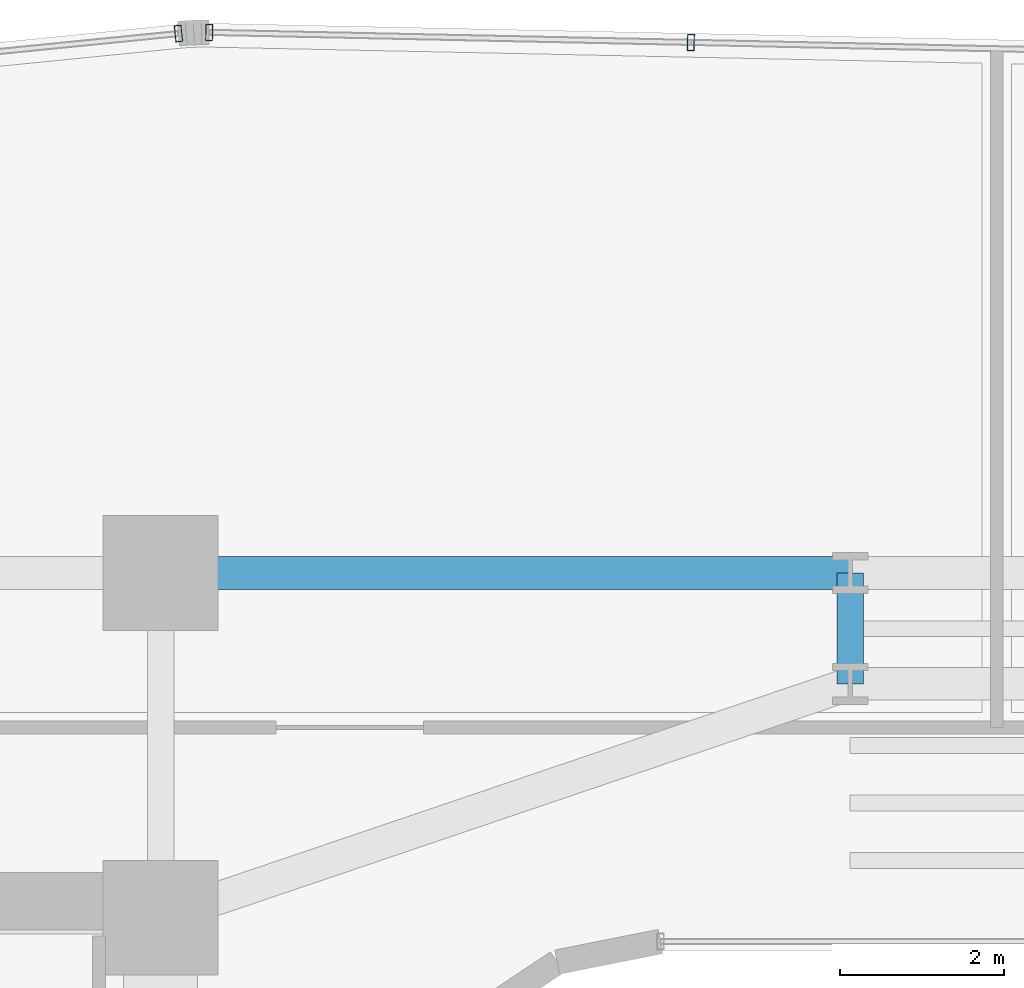
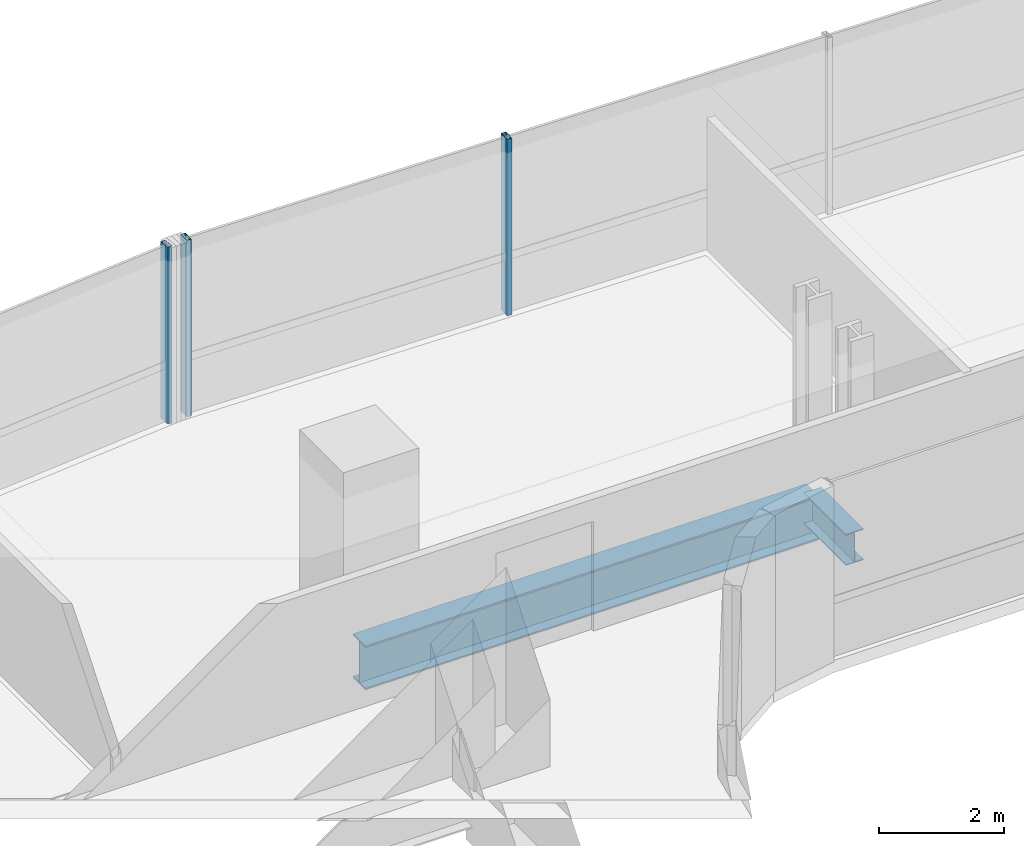
# One storey, part 20 of 41: 3 members, 2 beams, 2 elements without a shape of their own.
"""IFC4 building model written with IfcOpenShell, lengths in metres."""

from ifc_helpers import new_model, si_unit, direction, frame, origin, origin_2d, place, context, subcontext, project, spatial, hollow_rectangle, i_section, extrude, source, transform, mapped, material, material_profile, profile_set, type_object, element, aggregate, save


model = new_model("IFC4")

# Units and contexts
model_context = context("Model", 3, precision=1e-05, world=origin(), true_north=direction((0.0, 1.0)))
body_context = subcontext(model_context, "Body", "Model", "MODEL_VIEW")
ifc_project = project(units=[si_unit("LENGTHUNIT", "METRE"), si_unit("AREAUNIT", "SQUARE_METRE"), si_unit("VOLUMEUNIT", "CUBIC_METRE"), si_unit("PLANEANGLEUNIT", "RADIAN"), si_unit("MASSUNIT", "GRAM", prefix="KILO")], contexts=[model_context])

# Site, building, storey
site_placement = place(None, origin())
site = spatial("IfcSite", under=ifc_project, at=site_placement, CompositionType="ELEMENT")
building_placement = place(site_placement, origin())
building = spatial("IfcBuilding", under=site, at=building_placement, Name="Valdorenza Pilgrim Sanctuary Tower", CompositionType="ELEMENT")
storey_placement = place(building_placement, frame((0.0, 0.0, 63.0)))
storey = spatial("IfcBuildingStorey", under=building, at=storey_placement, Name="L15", CompositionType="ELEMENT", Elevation=63.0)

# Beams
ifc_material_1 = material(Name="Steel ASTM A992 Grade 50", Category="steel")
ifc_material_profile_1 = material_profile(ifc_material_1, i_section(OverallWidth=0.39990234375, OverallDepth=0.862060546875, WebThickness=0.019775390625, FlangeThickness=0.032470703125, at=origin_2d()), Name="W33X221")
ifc_profile_set_1 = profile_set([ifc_material_profile_1], Name="Steel ASTM A992 Grade 50")
beam_type_1 = type_object("IfcBeamType", Name="STR-BM-GRD-W33", PredefinedType="BEAM", material=ifc_profile_set_1)
shared_shape_1 = source(origin(), body_context, "Body", "SweptSolid", [
    extrude(i_section(OverallWidth=0.39990234375, OverallDepth=0.862060546875, WebThickness=0.019775390625, FlangeThickness=0.032470703125, at=origin_2d()), origin(), (0.0, 0.0, 1.0), 8.39990234375),
])
beam_1_placement = place(storey_placement, frame((-12.39990234375, 14.800048828125, -0.6708984375), z_axis=(1.0, 0.0, 0.0), x_axis=(0.0, 1.0, 0.0)))
element("IfcBeam", 1, at=beam_1_placement, inside=storey, type_object=beam_type_1, Name="L15 Floor Girder KNK-G4", PredefinedType="BEAM", context=body_context, shape_type="MappedRepresentation", body=[
    mapped(shared_shape_1, transform((0.0, 0.0, 0.0), x_axis=(1.0, 0.0, 0.0), y_axis=(0.0, 1.0, 0.0), z_axis=(0.0, 0.0, 1.0), scale=1.0)),
])
ifc_material_profile_2 = material_profile(ifc_material_1, i_section(OverallWidth=0.323974609375, OverallDepth=0.611083984375, WebThickness=0.0126953125, FlangeThickness=0.01904296875, at=origin_2d()), Name="W24X104")
ifc_profile_set_2 = profile_set([ifc_material_profile_2], Name="Steel ASTM A992 Grade 50")
beam_type_2 = type_object("IfcBeamType", Name="STR-BM-GRD-W24B", PredefinedType="BEAM", material=ifc_profile_set_2)
shared_shape_2 = source(origin(), body_context, "Body", "SweptSolid", [
    extrude(i_section(OverallWidth=0.323974609375, OverallDepth=0.611083984375, WebThickness=0.0126953125, FlangeThickness=0.01904296875, at=origin_2d()), origin(), (0.0, 0.0, 1.0), 1.35009765625),
])
beam_2_placement = place(storey_placement, frame((-4.0, 13.449951171875, -0.54541015625), z_axis=(0.0, 1.0, 0.0), x_axis=(-1.0, 0.0, 0.0)))
element("IfcBeam", 2, at=beam_2_placement, inside=storey, type_object=beam_type_2, Name="L15 Floor Girder KNK-TIE-W", PredefinedType="BEAM", context=body_context, shape_type="MappedRepresentation", body=[
    mapped(shared_shape_2, transform((0.0, 0.0, 0.0), x_axis=(1.0, 0.0, 0.0), y_axis=(0.0, 1.0, 0.0), z_axis=(0.0, 0.0, 1.0), scale=1.0)),
])

# Curtain wall, member
ifc_material_2 = material(Name="Curtain-wall IGU glazing", Category="glass")
curtain_wall_type = type_object("IfcCurtainWallType", Name="CW-SYS-02", PredefinedType="NOTDEFINED", material=ifc_material_2)
curtain_wall_1_placement = place(storey_placement, origin())
curtain_wall_1 = element("IfcCurtainWall", 3, at=curtain_wall_1_placement, inside=storey, type_object=curtain_wall_type, Name="L15 Curtain Wall CW-L15-1-6", PredefinedType="NOTDEFINED")
ifc_material_3 = material(Name="Anodised aluminium AW-6060", Category="aluminium")
ifc_material_profile_3 = material_profile(ifc_material_3, hollow_rectangle(XDim=0.0849609375, YDim=0.199951171875, WallThickness=0.0048828125, at=origin_2d()), Name="ALU-M 200x85x5")
ifc_profile_set_3 = profile_set([ifc_material_profile_3], Name="Anodised aluminium AW-6060")
member_type = type_object("IfcMemberType", Name="CW-MUL-02", PredefinedType="MULLION", material=ifc_profile_set_3)
shared_shape_3 = source(origin(), body_context, "Body", "SweptSolid", [
    extrude(hollow_rectangle(XDim=0.0849609375, YDim=0.199951171875, WallThickness=0.0048828125, at=origin_2d()), origin(), (0.0, 0.0, 1.0), 3.4599609375),
])
member_1_placement = place(storey_placement, frame((-12.181884765625, 21.371337890625, 0.0), z_axis=(0.0, 0.0, 1.0), x_axis=(0.995038220239, 0.099493418189, 0.0)))
member_1 = element("IfcMember", 4, at=member_1_placement, type_object=member_type, Name="CW-L15-1-6 Mullion 4", PredefinedType="MULLION", context=body_context, shape_type="MappedRepresentation", body=[
    mapped(shared_shape_3, transform((0.0, 0.0, 0.0), x_axis=(1.0, 0.0, 0.0), y_axis=(0.0, 1.0, 0.0), z_axis=(0.0, 0.0, 1.0), scale=1.0)),
])
aggregate(curtain_wall_1, [member_1])

# Curtain wall, members
curtain_wall_2_placement = place(storey_placement, origin())
curtain_wall_2 = element("IfcCurtainWall", 5, at=curtain_wall_2_placement, inside=storey, type_object=curtain_wall_type, Name="L15 Curtain Wall CW-L15-1-11", PredefinedType="NOTDEFINED")
member_2_placement = place(storey_placement, frame((-11.808349609375, 21.385986328125, 0.0), z_axis=(0.0, 0.0, 1.0), x_axis=(0.999783234613, -0.020820273474, 0.0)))
member_2 = element("IfcMember", 6, at=member_2_placement, type_object=member_type, Name="CW-L15-1-11 Mullion 1", PredefinedType="MULLION", context=body_context, shape_type="MappedRepresentation", body=[
    mapped(shared_shape_3, transform((0.0, 0.0, 0.0), x_axis=(1.0, 0.0, 0.0), y_axis=(0.0, 1.0, 0.0), z_axis=(0.0, 0.0, 1.0), scale=1.0)),
])
member_3_placement = place(storey_placement, frame((-5.93994140625, 21.263671875, 0.0), z_axis=(0.0, 0.0, 1.0), x_axis=(0.999783234613, -0.020820273474, 0.0)))
member_3 = element("IfcMember", 7, at=member_3_placement, type_object=member_type, Name="CW-L15-1-11 Mullion 2", PredefinedType="MULLION", context=body_context, shape_type="MappedRepresentation", body=[
    mapped(shared_shape_3, transform((0.0, 0.0, 0.0), x_axis=(1.0, 0.0, 0.0), y_axis=(0.0, 1.0, 0.0), z_axis=(0.0, 0.0, 1.0), scale=1.0)),
])
aggregate(curtain_wall_2, [member_2, member_3])

save(model, "model.ifc")
